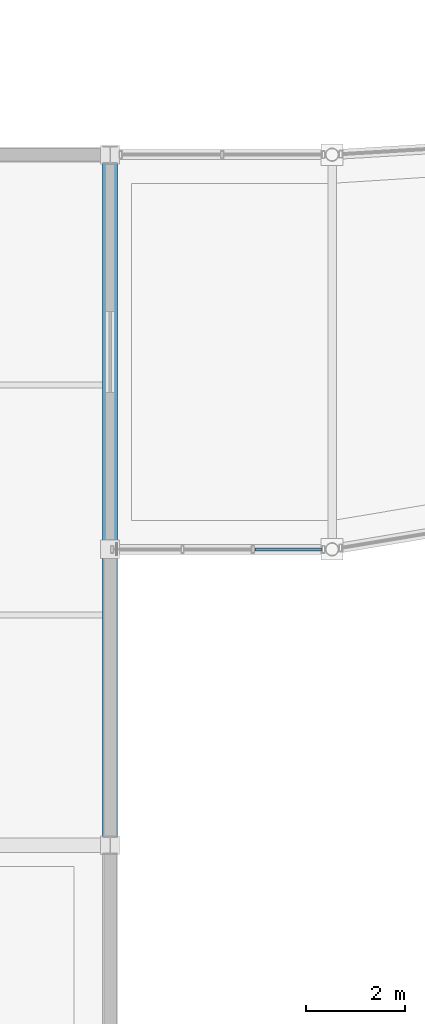
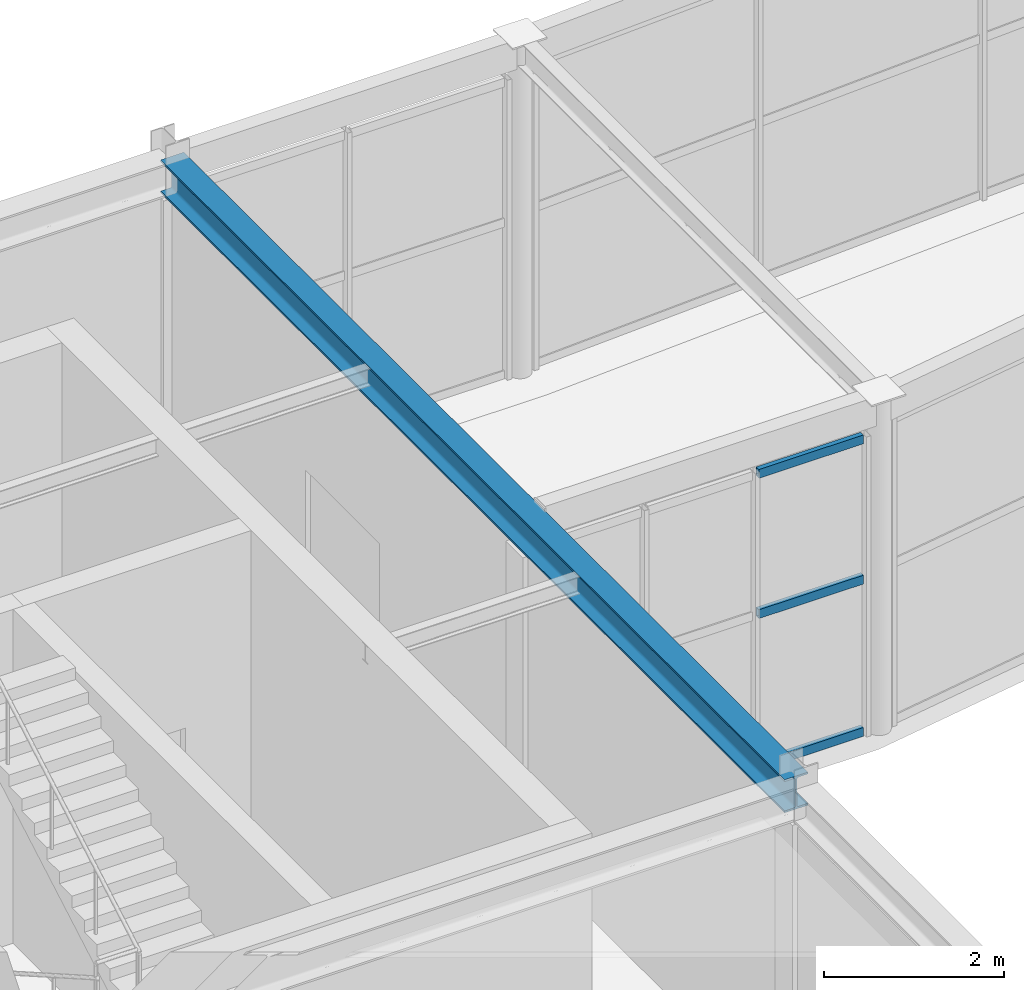
# One storey, part 19 of 100: 3 members, 1 beam, 1 element without a shape of its own.
"""IFC4 building model written with IfcOpenShell, lengths in metres."""

from ifc_helpers import new_model, si_unit, direction, frame, origin, origin_2d, place, context, subcontext, project, spatial, hollow_rectangle, i_section, extrude, material, material_profile, profile_set, type_object, element, aggregate, save


model = new_model("IFC4")

# Units and contexts
model_context = context("Model", 3, precision=1e-05, world=origin(), true_north=direction((0.0, 1.0)))
body_context = subcontext(model_context, "Body", "Model", "MODEL_VIEW")
ifc_project = project(units=[si_unit("LENGTHUNIT", "METRE"), si_unit("AREAUNIT", "SQUARE_METRE"), si_unit("VOLUMEUNIT", "CUBIC_METRE"), si_unit("PLANEANGLEUNIT", "RADIAN"), si_unit("MASSUNIT", "GRAM", prefix="KILO")], contexts=[model_context])

# Site, building, storey
site_placement = place(None, origin())
site = spatial("IfcSite", under=ifc_project, at=site_placement, CompositionType="ELEMENT")
building_placement = place(site_placement, origin())
building = spatial("IfcBuilding", under=site, at=building_placement, Name="Tarnveldt Headland Concert Hall", CompositionType="ELEMENT")
storey_placement = place(building_placement, frame((0.0, 0.0, 4.800048828125)))
storey = spatial("IfcBuildingStorey", under=building, at=storey_placement, Name="L01", CompositionType="ELEMENT", Elevation=4.800048828125)

# Beam
ifc_material_1 = material(Name="Steel S355", Category="steel")
ifc_material_profile_1 = material_profile(ifc_material_1, i_section(OverallWidth=0.300048828125, OverallDepth=0.449951171875, WebThickness=0.013916015625, FlangeThickness=0.02587890625, FilletRadius=0.027099609375, at=origin_2d()), Name="HEB450", Category="steel")
ifc_profile_set_1 = profile_set([ifc_material_profile_1], Name="Steel S355")
beam_type = type_object("IfcBeamType", Name="SB-HEB450", PredefinedType="BEAM", material=ifc_profile_set_1)
beam_placement = place(storey_placement, frame((44.5, 24.050048828125, 4.31494140625), z_axis=(0.0, 1.0, 0.0), x_axis=(-1.0, 0.0, 0.0)))
element("IfcBeam", 1, at=beam_placement, inside=storey, type_object=beam_type, Name="Framing beam L01-911", PredefinedType="BEAM", context=body_context, shape_type="SweptSolid", body=[
    extrude(i_section(OverallWidth=0.300048828125, OverallDepth=0.449951171875, WebThickness=0.013916015625, FlangeThickness=0.02587890625, FilletRadius=0.027099609375, at=origin_2d()), origin(), (0.0, 0.0, 1.0), 13.89990234375),
])

# Curtain wall, members
ifc_material_2 = material(Name="Marine-anodised aluminium EN AW-6063-T6", Category="aluminium")
curtain_wall_type = type_object("IfcCurtainWallType", Name="CW-L2", PredefinedType="NOTDEFINED", material=ifc_material_2)
curtain_wall_placement = place(storey_placement, origin())
curtain_wall = element("IfcCurtainWall", 2, at=curtain_wall_placement, inside=storey, type_object=curtain_wall_type, Name="Curtain wall CW-L01-172", PredefinedType="NOTDEFINED")
ifc_material_profile_2 = material_profile(ifc_material_2, hollow_rectangle(XDim=0.06005859375, YDim=0.1201171875, WallThickness=0.00390625, at=origin_2d()), Name="ALU TRANSOM 60x120x4", Category="aluminium")
ifc_profile_set_2 = profile_set([ifc_material_profile_2], Name="Marine-anodised aluminium EN AW-6063-T6")
member_type = type_object("IfcMemberType", Name="TR-110", PredefinedType="MEMBER", material=ifc_profile_set_2)
member_1_placement = place(storey_placement, frame((47.437744140625, 30.0, 0.050048828125), z_axis=(1.0, 0.0, 0.0), x_axis=(0.0, 1.0, 0.0)))
member_1 = element("IfcMember", 3, at=member_1_placement, type_object=member_type, Name="Transom CW-L01-172-3-1", PredefinedType="MEMBER", context=body_context, shape_type="SweptSolid", body=[
    extrude(hollow_rectangle(XDim=0.06005859375, YDim=0.1201171875, WallThickness=0.00390625, at=origin_2d()), origin(), (0.0, 0.0, 1.0), 1.34375),
])
member_2_placement = place(storey_placement, frame((47.437744140625, 30.0, 2.12060546875), z_axis=(1.0, 0.0, 0.0), x_axis=(0.0, 1.0, 0.0)))
member_2 = element("IfcMember", 4, at=member_2_placement, type_object=member_type, Name="Transom CW-L01-172-3-2", PredefinedType="MEMBER", context=body_context, shape_type="SweptSolid", body=[
    extrude(hollow_rectangle(XDim=0.06005859375, YDim=0.1201171875, WallThickness=0.00390625, at=origin_2d()), origin(), (0.0, 0.0, 1.0), 1.34375),
])
member_3_placement = place(storey_placement, frame((47.437744140625, 30.0, 4.02783203125), z_axis=(1.0, 0.0, 0.0), x_axis=(0.0, 1.0, 0.0)))
member_3 = element("IfcMember", 5, at=member_3_placement, type_object=member_type, Name="Transom CW-L01-172-3-3", PredefinedType="MEMBER", context=body_context, shape_type="SweptSolid", body=[
    extrude(hollow_rectangle(XDim=0.06005859375, YDim=0.1201171875, WallThickness=0.00390625, at=origin_2d()), origin(), (0.0, 0.0, 1.0), 1.34375),
])
aggregate(curtain_wall, [member_1, member_2, member_3])

save(model, "model.ifc")
